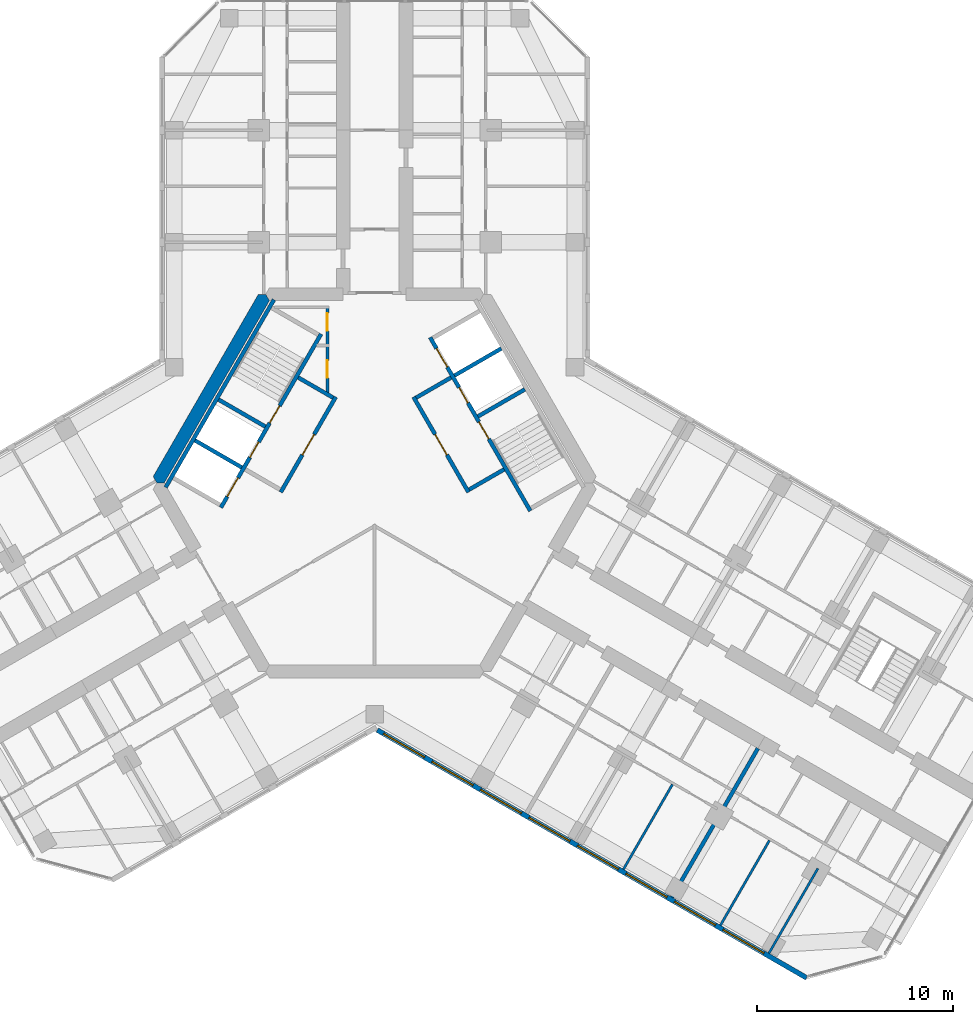
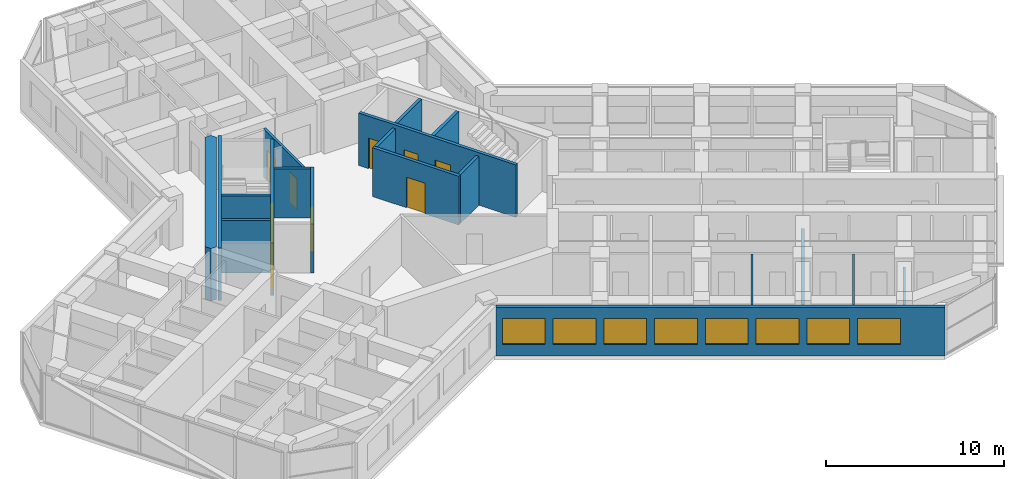
# One storey, part 10 of 16: 19 walls, 10 doors, 8 windows, 18 openings.
"""IFC4 building model written with IfcOpenShell, lengths in metres."""

from ifc_helpers import new_model, si_unit, direction, frame, frame_2d, origin, place, context, subcontext, project, spatial, polyline, rectangle, outline, extrude, material, layer, layer_set, type_object, element, fill, save


model = new_model("IFC4")

# Units and contexts
model_context = context("Model", 3, precision=1e-05, world=origin(), true_north=direction((0.0, 1.0)))
body_context = subcontext(model_context, "Body", "Model", "MODEL_VIEW")
ifc_project = project(units=[si_unit("LENGTHUNIT", "METRE"), si_unit("AREAUNIT", "SQUARE_METRE"), si_unit("VOLUMEUNIT", "CUBIC_METRE"), si_unit("PLANEANGLEUNIT", "RADIAN"), si_unit("MASSUNIT", "GRAM", prefix="KILO")], contexts=[model_context])

# Site, building, storey
site_placement = place(None, origin())
site = spatial("IfcSite", under=ifc_project, at=site_placement, CompositionType="ELEMENT")
building_placement = place(site_placement, origin())
building = spatial("IfcBuilding", under=site, at=building_placement, Name="Kosmar Iwan School Tower", CompositionType="ELEMENT")
storey_placement = place(building_placement, frame((0.0, 0.0, 219.0)))
storey = spatial("IfcBuildingStorey", under=building, at=storey_placement, Name="L55", CompositionType="ELEMENT", Elevation=219.0)

# Wall, openings, doors
ifc_material_1 = material(Name="Gypsum board on steel studs, fire-rated", Category="steel")
ifc_layer_1 = layer(ifc_material_1, 0.14990234375)
ifc_layer_set_1 = layer_set([ifc_layer_1], Name="Core room partition 150")
wall_type_1 = type_object("IfcWallType", Name="Core room partition 150", PredefinedType="PARTITIONING", material=ifc_layer_set_1)
wall_1_placement = place(storey_placement, frame((-2.39990234375, 9.014892578125, 0.0), z_axis=(0.0, 0.0, 1.0), x_axis=(0.0, -1.0, 0.0)))
wall_1 = element("IfcWall", 1, at=wall_1_placement, inside=storey, type_object=wall_type_1, Name="Core room partition L55-CW1", PredefinedType="PARTITIONING", context=body_context, shape_type="SweptSolid", body=[
    extrude(rectangle(XDim=4.484130859375, YDim=0.14990234375, at=frame_2d((2.2421875, 0.0))), origin(), (0.0, 0.0, 1.0), 3.35009765625),
])
opening_1_placement = place(wall_1_placement, frame((0.375, 0.0, 0.0)))
opening_1 = element("IfcOpeningElement", 2, at=opening_1_placement, cuts=wall_1, Name="Opening D14", PredefinedType="OPENING", context=body_context, shape_type="SweptSolid", body=[
    extrude(rectangle(XDim=0.89990234375, YDim=2.10009765625, at=frame_2d((0.449951171875, 1.050048828125))), frame((0.0, 0.0869140625, 0.0), z_axis=(0.0, -1.0, 0.0), x_axis=(1.0, 0.0, 0.0)), (0.0, 0.0, 1.0), 0.173828125),
])
opening_2_placement = place(wall_1_placement, frame((2.77490234375, 0.0, 0.0)))
opening_2 = element("IfcOpeningElement", 3, at=opening_2_placement, cuts=wall_1, Name="Opening D14", PredefinedType="OPENING", context=body_context, shape_type="SweptSolid", body=[
    extrude(rectangle(XDim=0.89990234375, YDim=2.10009765625, at=frame_2d((0.449951171875, 1.050048828125))), frame((0.0, 0.0869140625, 0.0), z_axis=(0.0, -1.0, 0.0), x_axis=(1.0, 0.0, 0.0)), (0.0, 0.0, 1.0), 0.173828125),
])
ifc_material_2 = material(Name="Timber fire door in steel frame", Category="steel")
door_type_1 = type_object("IfcDoorType", Name="Core room door 900x2100", OperationType="SINGLE_SWING_LEFT", PredefinedType="DOOR", material=ifc_material_2)
door_1_placement = place(opening_1_placement, origin())
door_1 = element("IfcDoor", 4, at=door_1_placement, inside=storey, type_object=door_type_1, Name="Electrical riser and switch room door L55 1", OperationType="SINGLE_SWING_LEFT", OverallHeight=2.10009765625, OverallWidth=0.89990234375, PredefinedType="DOOR", context=body_context, shape_type="SweptSolid", body=[
    extrude(rectangle(XDim=0.89990234375, YDim=2.10009765625, at=frame_2d((0.449951171875, 1.050048828125))), frame((0.0, 0.02490234375, 0.0), z_axis=(0.0, -1.0, 0.0), x_axis=(1.0, 0.0, 0.0)), (0.0, 0.0, 1.0), 0.050048828125),
])
fill(opening_1, door_1)
door_2_placement = place(opening_2_placement, origin())
door_2 = element("IfcDoor", 5, at=door_2_placement, inside=storey, type_object=door_type_1, Name="Plumbing and wet riser door L55 2", OperationType="SINGLE_SWING_RIGHT", OverallHeight=2.10009765625, OverallWidth=0.89990234375, PredefinedType="DOOR", context=body_context, shape_type="SweptSolid", body=[
    extrude(rectangle(XDim=0.89990234375, YDim=2.10009765625, at=frame_2d((0.449951171875, 1.050048828125))), frame((0.0, 0.02490234375, 0.0), z_axis=(0.0, -1.0, 0.0), x_axis=(1.0, 0.0, 0.0)), (0.0, 0.0, 1.0), 0.050048828125),
])
fill(opening_2, door_2)

# Walls
ifc_material_3 = material(Name="Concrete C50/60", Category="concrete")
ifc_layer_2 = layer(ifc_material_3, 0.64990234375)
ifc_layer_set_2 = layer_set([ifc_layer_2], Name="Core wall 650")
wall_type_2 = type_object("IfcWallType", Name="Core wall 650", PredefinedType="SHEAR", material=ifc_layer_set_2)
wall_2_placement = place(storey_placement, origin())
element("IfcWall", 6, at=wall_2_placement, inside=storey, type_object=wall_type_2, Name="Core wall F150", PredefinedType="SHEAR", context=body_context, shape_type="SweptSolid", body=[
    extrude(outline(polyline([(-11.085205078125, 0.0), (-10.7099609375, 0.0), (-5.35498046875, 9.27490234375), (-5.54248046875, 9.60009765625), (-5.917724609375, 9.60009765625), (-11.272705078125, 0.324951171875), (-11.085205078125, 0.0)])), origin(), (0.0, 0.0, 1.0), 3.60009765625),
])
ifc_material_4 = material(Name="Gypsum board on steel studs", Category="steel")
ifc_layer_3 = layer(ifc_material_4, 0.1201171875)
ifc_layer_set_3 = layer_set([ifc_layer_3], Name="Dwelling partition 120")
wall_type_3 = type_object("IfcWallType", Name="Dwelling partition 120", PredefinedType="PARTITIONING", material=ifc_layer_set_3)
for number, where, z_axis, x_axis, name in (
    (7, (15.158447265625, -15.344970703125, 0.0), (0.0, 0.0, 1.0), (-0.500011847778, -0.866018563358, 0.0), "Partition L55-CR2-X2"),
    (8, (20.0947265625, -18.195068359375, 0.0), (0.0, 0.0, 1.0), (-0.500011847778, -0.866018563358, 0.0), "Partition L55-CR3-X1"),
):
    element("IfcWall", number, at=place(storey_placement, frame(where, z_axis=z_axis, x_axis=x_axis)), inside=storey, type_object=wall_type_3, Name=name, PredefinedType="PARTITIONING", context=body_context, shape_type="SweptSolid", body=[
        extrude(rectangle(XDim=4.990234375, YDim=0.1201171875, at=frame_2d((2.4951171875, 0.0))), origin(), (0.0, 0.0, 1.0), 3.35009765625),
    ])
wall_3_placement = place(storey_placement, frame((22.562744140625, -19.6201171875, 0.0), z_axis=(0.0, 0.0, 1.0), x_axis=(-0.499996339024, -0.86602751744, 0.0)))
element("IfcWall", 9, at=wall_3_placement, inside=storey, type_object=wall_type_3, Name="Partition L55-CR3-X2", PredefinedType="PARTITIONING", context=body_context, shape_type="SweptSolid", body=[
    extrude(rectangle(XDim=4.98974609375, YDim=0.1201171875, at=frame_2d((2.494873046875, 0.0))), origin(), (0.0, 0.0, 1.0), 2.449951171875),
])

# Wall, openings, windows
ifc_material_5 = material(Name="Black aluminium rainscreen on insulated framing", Category="aluminium")
ifc_layer_4 = layer(ifc_material_5, 0.25)
ifc_layer_set_4 = layer_set([ifc_layer_4], Name="External wall rainscreen 250")
wall_type_4 = type_object("IfcWallType", Name="External wall rainscreen 250", PredefinedType="SOLIDWALL", material=ifc_layer_set_4)
wall_4_placement = place(storey_placement, frame((0.137939453125, -12.5791015625, 0.0), z_axis=(0.0, 0.0, 1.0), x_axis=(0.866023775649, -0.500002820003, 0.0)))
wall_4 = element("IfcWall", 10, at=wall_4_placement, inside=storey, type_object=wall_type_4, Name="External wall CR L55", PredefinedType="SOLIDWALL", context=body_context, shape_type="SweptSolid", body=[
    extrude(rectangle(XDim=25.226318359375, YDim=0.25, at=frame_2d((12.61328125, 0.0))), origin(), (0.0, 0.0, 1.0), 3.35009765625),
])
opening_3_placement = place(wall_4_placement, frame((0.365966796875, 0.0, 0.800048828125)))
opening_3 = element("IfcOpeningElement", 11, at=opening_3_placement, cuts=wall_4, Name="Opening W5", PredefinedType="OPENING", context=body_context, shape_type="SweptSolid", body=[
    extrude(rectangle(XDim=2.39990234375, YDim=1.800048828125, at=frame_2d((1.199951171875, 0.89990234375))), frame((0.0, 0.136962890625, 0.0), z_axis=(0.0, -1.0, 0.0), x_axis=(1.0, 0.0, 0.0)), (0.0, 0.0, 1.0), 0.27392578125),
])
opening_4_placement = place(wall_4_placement, frame((3.216064453125, 0.0, 0.800048828125)))
opening_4 = element("IfcOpeningElement", 12, at=opening_4_placement, cuts=wall_4, Name="Opening W5", PredefinedType="OPENING", context=body_context, shape_type="SweptSolid", body=[
    extrude(rectangle(XDim=2.39990234375, YDim=1.800048828125, at=frame_2d((1.199951171875, 0.89990234375))), frame((0.0, 0.136962890625, 0.0), z_axis=(0.0, -1.0, 0.0), x_axis=(1.0, 0.0, 0.0)), (0.0, 0.0, 1.0), 0.27392578125),
])
opening_5_placement = place(wall_4_placement, frame((6.06591796875, 0.0, 0.800048828125)))
opening_5 = element("IfcOpeningElement", 13, at=opening_5_placement, cuts=wall_4, Name="Opening W5", PredefinedType="OPENING", context=body_context, shape_type="SweptSolid", body=[
    extrude(rectangle(XDim=2.39990234375, YDim=1.800048828125, at=frame_2d((1.199951171875, 0.89990234375))), frame((0.0, 0.136962890625, 0.0), z_axis=(0.0, -1.0, 0.0), x_axis=(1.0, 0.0, 0.0)), (0.0, 0.0, 1.0), 0.27392578125),
])
opening_6_placement = place(wall_4_placement, frame((8.916015625, 0.0, 0.800048828125)))
opening_6 = element("IfcOpeningElement", 14, at=opening_6_placement, cuts=wall_4, Name="Opening W5", PredefinedType="OPENING", context=body_context, shape_type="SweptSolid", body=[
    extrude(rectangle(XDim=2.39990234375, YDim=1.800048828125, at=frame_2d((1.199951171875, 0.89990234375))), frame((0.0, 0.136962890625, 0.0), z_axis=(0.0, -1.0, 0.0), x_axis=(1.0, 0.0, 0.0)), (0.0, 0.0, 1.0), 0.27392578125),
])
opening_7_placement = place(wall_4_placement, frame((11.76611328125, 0.0, 0.800048828125)))
opening_7 = element("IfcOpeningElement", 15, at=opening_7_placement, cuts=wall_4, Name="Opening W5", PredefinedType="OPENING", context=body_context, shape_type="SweptSolid", body=[
    extrude(rectangle(XDim=2.39990234375, YDim=1.800048828125, at=frame_2d((1.199951171875, 0.89990234375))), frame((0.0, 0.136962890625, 0.0), z_axis=(0.0, -1.0, 0.0), x_axis=(1.0, 0.0, 0.0)), (0.0, 0.0, 1.0), 0.27392578125),
])
opening_8_placement = place(wall_4_placement, frame((14.615966796875, 0.0, 0.800048828125)))
opening_8 = element("IfcOpeningElement", 16, at=opening_8_placement, cuts=wall_4, Name="Opening W5", PredefinedType="OPENING", context=body_context, shape_type="SweptSolid", body=[
    extrude(rectangle(XDim=2.39990234375, YDim=1.800048828125, at=frame_2d((1.199951171875, 0.89990234375))), frame((0.0, 0.136962890625, 0.0), z_axis=(0.0, -1.0, 0.0), x_axis=(1.0, 0.0, 0.0)), (0.0, 0.0, 1.0), 0.27392578125),
])
opening_9_placement = place(wall_4_placement, frame((17.466064453125, 0.0, 0.800048828125)))
opening_9 = element("IfcOpeningElement", 17, at=opening_9_placement, cuts=wall_4, Name="Opening W5", PredefinedType="OPENING", context=body_context, shape_type="SweptSolid", body=[
    extrude(rectangle(XDim=2.39990234375, YDim=1.800048828125, at=frame_2d((1.199951171875, 0.89990234375))), frame((0.0, 0.136962890625, 0.0), z_axis=(0.0, -1.0, 0.0), x_axis=(1.0, 0.0, 0.0)), (0.0, 0.0, 1.0), 0.27392578125),
])
opening_10_placement = place(wall_4_placement, frame((20.31591796875, 0.0, 0.800048828125)))
opening_10 = element("IfcOpeningElement", 18, at=opening_10_placement, cuts=wall_4, Name="Opening W5", PredefinedType="OPENING", context=body_context, shape_type="SweptSolid", body=[
    extrude(rectangle(XDim=2.39990234375, YDim=1.800048828125, at=frame_2d((1.199951171875, 0.89990234375))), frame((0.0, 0.136962890625, 0.0), z_axis=(0.0, -1.0, 0.0), x_axis=(1.0, 0.0, 0.0)), (0.0, 0.0, 1.0), 0.27392578125),
])
ifc_material_6 = material(Name="Black aluminium frame with dark triple glazing", Category="aluminium")
window_type = type_object("IfcWindowType", Name="Window 2400x1800", PartitioningType="SINGLE_PANEL", PredefinedType="WINDOW", material=ifc_material_6)
window_1_placement = place(opening_3_placement, origin())
window_1 = element("IfcWindow", 19, at=window_1_placement, inside=storey, type_object=window_type, Name="Window CR L55 -1", OverallHeight=1.800048828125, OverallWidth=2.39990234375, PartitioningType="SINGLE_PANEL", PredefinedType="WINDOW", context=body_context, shape_type="SweptSolid", body=[
    extrude(rectangle(XDim=2.39990234375, YDim=1.800048828125, at=frame_2d((1.199951171875, 0.89990234375))), frame((0.0, 0.030029296875, 0.0), z_axis=(0.0, -1.0, 0.0), x_axis=(1.0, 0.0, 0.0)), (0.0, 0.0, 1.0), 0.06005859375),
])
fill(opening_3, window_1)
window_2_placement = place(opening_4_placement, origin())
window_2 = element("IfcWindow", 20, at=window_2_placement, inside=storey, type_object=window_type, Name="Window CR L55 0", OverallHeight=1.800048828125, OverallWidth=2.39990234375, PartitioningType="SINGLE_PANEL", PredefinedType="WINDOW", context=body_context, shape_type="SweptSolid", body=[
    extrude(rectangle(XDim=2.39990234375, YDim=1.800048828125, at=frame_2d((1.199951171875, 0.89990234375))), frame((0.0, 0.030029296875, 0.0), z_axis=(0.0, -1.0, 0.0), x_axis=(1.0, 0.0, 0.0)), (0.0, 0.0, 1.0), 0.06005859375),
])
fill(opening_4, window_2)
window_3_placement = place(opening_5_placement, origin())
window_3 = element("IfcWindow", 21, at=window_3_placement, inside=storey, type_object=window_type, Name="Window CR L55 1", OverallHeight=1.800048828125, OverallWidth=2.39990234375, PartitioningType="SINGLE_PANEL", PredefinedType="WINDOW", context=body_context, shape_type="SweptSolid", body=[
    extrude(rectangle(XDim=2.39990234375, YDim=1.800048828125, at=frame_2d((1.199951171875, 0.89990234375))), frame((0.0, 0.030029296875, 0.0), z_axis=(0.0, -1.0, 0.0), x_axis=(1.0, 0.0, 0.0)), (0.0, 0.0, 1.0), 0.06005859375),
])
fill(opening_5, window_3)
window_4_placement = place(opening_6_placement, origin())
window_4 = element("IfcWindow", 22, at=window_4_placement, inside=storey, type_object=window_type, Name="Window CR L55 2", OverallHeight=1.800048828125, OverallWidth=2.39990234375, PartitioningType="SINGLE_PANEL", PredefinedType="WINDOW", context=body_context, shape_type="SweptSolid", body=[
    extrude(rectangle(XDim=2.39990234375, YDim=1.800048828125, at=frame_2d((1.199951171875, 0.89990234375))), frame((0.0, 0.030029296875, 0.0), z_axis=(0.0, -1.0, 0.0), x_axis=(1.0, 0.0, 0.0)), (0.0, 0.0, 1.0), 0.06005859375),
])
fill(opening_6, window_4)
window_5_placement = place(opening_7_placement, origin())
window_5 = element("IfcWindow", 23, at=window_5_placement, inside=storey, type_object=window_type, Name="Window CR L55 3", OverallHeight=1.800048828125, OverallWidth=2.39990234375, PartitioningType="SINGLE_PANEL", PredefinedType="WINDOW", context=body_context, shape_type="SweptSolid", body=[
    extrude(rectangle(XDim=2.39990234375, YDim=1.800048828125, at=frame_2d((1.199951171875, 0.89990234375))), frame((0.0, 0.030029296875, 0.0), z_axis=(0.0, -1.0, 0.0), x_axis=(1.0, 0.0, 0.0)), (0.0, 0.0, 1.0), 0.06005859375),
])
fill(opening_7, window_5)
window_6_placement = place(opening_8_placement, origin())
window_6 = element("IfcWindow", 24, at=window_6_placement, inside=storey, type_object=window_type, Name="Window CR L55 4", OverallHeight=1.800048828125, OverallWidth=2.39990234375, PartitioningType="SINGLE_PANEL", PredefinedType="WINDOW", context=body_context, shape_type="SweptSolid", body=[
    extrude(rectangle(XDim=2.39990234375, YDim=1.800048828125, at=frame_2d((1.199951171875, 0.89990234375))), frame((0.0, 0.030029296875, 0.0), z_axis=(0.0, -1.0, 0.0), x_axis=(1.0, 0.0, 0.0)), (0.0, 0.0, 1.0), 0.06005859375),
])
fill(opening_8, window_6)
window_7_placement = place(opening_9_placement, origin())
window_7 = element("IfcWindow", 25, at=window_7_placement, inside=storey, type_object=window_type, Name="Window CR L55 5", OverallHeight=1.800048828125, OverallWidth=2.39990234375, PartitioningType="SINGLE_PANEL", PredefinedType="WINDOW", context=body_context, shape_type="SweptSolid", body=[
    extrude(rectangle(XDim=2.39990234375, YDim=1.800048828125, at=frame_2d((1.199951171875, 0.89990234375))), frame((0.0, 0.030029296875, 0.0), z_axis=(0.0, -1.0, 0.0), x_axis=(1.0, 0.0, 0.0)), (0.0, 0.0, 1.0), 0.06005859375),
])
fill(opening_9, window_7)
window_8_placement = place(opening_10_placement, origin())
window_8 = element("IfcWindow", 26, at=window_8_placement, inside=storey, type_object=window_type, Name="Window CR L55 6", OverallHeight=1.800048828125, OverallWidth=2.39990234375, PartitioningType="SINGLE_PANEL", PredefinedType="WINDOW", context=body_context, shape_type="SweptSolid", body=[
    extrude(rectangle(XDim=2.39990234375, YDim=1.800048828125, at=frame_2d((1.199951171875, 0.89990234375))), frame((0.0, 0.030029296875, 0.0), z_axis=(0.0, -1.0, 0.0), x_axis=(1.0, 0.0, 0.0)), (0.0, 0.0, 1.0), 0.06005859375),
])
fill(opening_10, window_8)

# Wall, opening, door
ifc_material_7 = material(Name="Concrete block masonry", Category="masonry")
ifc_layer_5 = layer(ifc_material_7, 0.199951171875)
ifc_layer_set_5 = layer_set([ifc_layer_5], Name="Fire lobby wall 200")
wall_type_5 = type_object("IfcWallType", Name="Fire lobby wall 200", PredefinedType="PARTITIONING", material=ifc_layer_set_5)
wall_5_placement = place(storey_placement, frame((-1.9775390625, 4.374755859375, 0.0), z_axis=(0.0, 0.0, 1.0), x_axis=(-0.500016814911, -0.866015695474, 0.0)))
wall_5 = element("IfcWall", 27, at=wall_5_placement, inside=storey, type_object=wall_type_5, Name="Firefighting lobby wall ST2", PredefinedType="PARTITIONING", context=body_context, shape_type="SweptSolid", body=[
    extrude(rectangle(XDim=5.599853515625, YDim=0.199951171875, at=frame_2d((2.7998046875, 0.0))), origin(), (0.0, 0.0, 1.0), 3.35009765625),
])
opening_11_placement = place(wall_5_placement, frame((2.199951171875, 0.0, 0.0)))
opening_11 = element("IfcOpeningElement", 28, at=opening_11_placement, cuts=wall_5, Name="Opening D7", PredefinedType="OPENING", context=body_context, shape_type="SweptSolid", body=[
    extrude(rectangle(XDim=1.199951171875, YDim=2.10009765625, at=frame_2d((0.60009765625, 1.050048828125))), frame((0.0, 0.112060546875, 0.0), z_axis=(0.0, -1.0, 0.0), x_axis=(1.0, 0.0, 0.0)), (0.0, 0.0, 1.0), 0.223876953125),
])
ifc_material_8 = material(Name="Steel fire door", Category="steel")
door_type_2 = type_object("IfcDoorType", Name="Fire lobby door 1200x2100", OperationType="SINGLE_SWING_LEFT", PredefinedType="DOOR", material=ifc_material_8)
door_3_placement = place(opening_11_placement, origin())
door_3 = element("IfcDoor", 29, at=door_3_placement, inside=storey, type_object=door_type_2, Name="Firefighting lobby door ST2 L55", OperationType="SINGLE_SWING_RIGHT", OverallHeight=2.10009765625, OverallWidth=1.199951171875, PredefinedType="DOOR", context=body_context, shape_type="SweptSolid", body=[
    extrude(rectangle(XDim=1.199951171875, YDim=2.10009765625, at=frame_2d((0.60009765625, 1.050048828125))), frame((0.0, 0.02490234375, 0.0), z_axis=(0.0, -1.0, 0.0), x_axis=(1.0, 0.0, 0.0)), (0.0, 0.0, 1.0), 0.050048828125),
])
fill(opening_11, door_3)

# Wall
wall_6_placement = place(storey_placement, frame((-2.114013671875, 4.33837890625, 0.0), z_axis=(0.0, 0.0, 1.0), x_axis=(-0.866050731258, 0.499956128963, 0.0)))
element("IfcWall", 30, at=wall_6_placement, inside=storey, type_object=wall_type_5, Name="Firefighting lobby wall ST2", PredefinedType="PARTITIONING", context=body_context, shape_type="SweptSolid", body=[
    extrude(rectangle(XDim=2.050048828125, YDim=0.199951171875, at=frame_2d((1.02490234375, 0.0))), origin(), (0.0, 0.0, 1.0), 3.35009765625),
])

# Wall, opening, door
wall_7_placement = place(storey_placement, frame((4.777587890625, -0.474853515625, 0.0), z_axis=(0.0, 0.0, 1.0), x_axis=(-0.500016814911, 0.866015695474, 0.0)))
wall_7 = element("IfcWall", 31, at=wall_7_placement, inside=storey, type_object=wall_type_5, Name="Firefighting lobby wall ST1", PredefinedType="PARTITIONING", context=body_context, shape_type="SweptSolid", body=[
    extrude(rectangle(XDim=5.599853515625, YDim=0.199951171875, at=frame_2d((2.7998046875, 0.0))), origin(), (0.0, 0.0, 1.0), 3.35009765625),
])
opening_12_placement = place(wall_7_placement, frame((2.199951171875, 0.0, 0.0)))
opening_12 = element("IfcOpeningElement", 32, at=opening_12_placement, cuts=wall_7, Name="Opening D7", PredefinedType="OPENING", context=body_context, shape_type="SweptSolid", body=[
    extrude(rectangle(XDim=1.199951171875, YDim=2.10009765625, at=frame_2d((0.60009765625, 1.050048828125))), frame((0.0, 0.112060546875, 0.0), z_axis=(0.0, -1.0, 0.0), x_axis=(1.0, 0.0, 0.0)), (0.0, 0.0, 1.0), 0.223876953125),
])
door_4_placement = place(opening_12_placement, origin())
door_4 = element("IfcDoor", 33, at=door_4_placement, inside=storey, type_object=door_type_2, Name="Firefighting lobby door ST1 L55", OperationType="SINGLE_SWING_RIGHT", OverallHeight=2.10009765625, OverallWidth=1.199951171875, PredefinedType="DOOR", context=body_context, shape_type="SweptSolid", body=[
    extrude(rectangle(XDim=1.199951171875, YDim=2.10009765625, at=frame_2d((0.60009765625, 1.050048828125))), frame((0.0, 0.02490234375, 0.0), z_axis=(0.0, -1.0, 0.0), x_axis=(1.0, 0.0, 0.0)), (0.0, 0.0, 1.0), 0.050048828125),
])
fill(opening_12, door_4)

# Walls
wall_8_placement = place(storey_placement, frame((4.814208984375, -0.33837890625, 0.0), z_axis=(0.0, 0.0, 1.0), x_axis=(0.865969381856, 0.500097020274, 0.0)))
element("IfcWall", 34, at=wall_8_placement, inside=storey, type_object=wall_type_5, Name="Firefighting lobby wall ST1", PredefinedType="PARTITIONING", context=body_context, shape_type="SweptSolid", body=[
    extrude(rectangle(XDim=2.0498046875, YDim=0.199951171875, at=frame_2d((1.02490234375, 0.0))), origin(), (0.0, 0.0, 1.0), 3.35009765625),
])
wall_9_placement = place(storey_placement, frame((2.114013671875, 4.33837890625, 0.0), z_axis=(0.0, 0.0, 1.0), x_axis=(0.866050731258, 0.499956128963, 0.0)))
element("IfcWall", 35, at=wall_9_placement, inside=storey, type_object=wall_type_5, Name="Firefighting lobby wall ST1", PredefinedType="PARTITIONING", context=body_context, shape_type="SweptSolid", body=[
    extrude(rectangle(XDim=2.050048828125, YDim=0.199951171875, at=frame_2d((1.02490234375, 0.0))), origin(), (0.0, 0.0, 1.0), 3.35009765625),
])

# Wall, openings, doors
ifc_material_9 = material(Name="Concrete C50/60", Category="concrete")
ifc_layer_6 = layer(ifc_material_9, 0.199951171875)
ifc_layer_set_6 = layer_set([ifc_layer_6], Name="Lift shaft wall 200")
wall_type_6 = type_object("IfcWallType", Name="Lift shaft wall 200", PredefinedType="SHEAR", material=ifc_layer_set_6)
wall_10_placement = place(storey_placement, frame((-2.72607421875, 7.578369140625, 0.0), z_axis=(0.0, 0.0, 1.0), x_axis=(-0.500005610874, -0.86602216432, 0.0)))
wall_10 = element("IfcWall", 36, at=wall_10_placement, inside=storey, type_object=wall_type_6, Name="Lift and stair front wall AB", PredefinedType="SHEAR", context=body_context, shape_type="SweptSolid", body=[
    extrude(rectangle(XDim=10.2001953125, YDim=0.199951171875, at=frame_2d((5.10009765625, 0.0))), origin(), (0.0, 0.0, 1.0), 3.60009765625),
])
opening_13_placement = place(wall_10_placement, frame((6.35009765625, 0.0, 0.0)))
opening_13 = element("IfcOpeningElement", 37, at=opening_13_placement, cuts=wall_10, Name="Opening LD2", PredefinedType="OPENING", context=body_context, shape_type="SweptSolid", body=[
    extrude(rectangle(XDim=0.89990234375, YDim=2.10009765625, at=frame_2d((0.449951171875, 1.050048828125))), frame((0.0, 0.112060546875, 0.0), z_axis=(0.0, -1.0, 0.0), x_axis=(1.0, 0.0, 0.0)), (0.0, 0.0, 1.0), 0.223876953125),
])
opening_14_placement = place(wall_10_placement, frame((8.449951171875, 0.0, 0.0)))
opening_14 = element("IfcOpeningElement", 38, at=opening_14_placement, cuts=wall_10, Name="Opening LD1", PredefinedType="OPENING", context=body_context, shape_type="SweptSolid", body=[
    extrude(rectangle(XDim=1.10009765625, YDim=2.10009765625, at=frame_2d((0.550048828125, 1.050048828125))), frame((0.0, 0.112060546875, 0.0), z_axis=(0.0, -1.0, 0.0), x_axis=(1.0, 0.0, 0.0)), (0.0, 0.0, 1.0), 0.223876953125),
])
opening_15_placement = place(wall_10_placement, frame((4.22998046875, 0.0, 0.0)))
opening_15 = element("IfcOpeningElement", 39, at=opening_15_placement, cuts=wall_10, Name="Opening D6", PredefinedType="OPENING", context=body_context, shape_type="SweptSolid", body=[
    extrude(rectangle(XDim=1.0, YDim=2.10009765625, at=frame_2d((0.5, 1.050048828125))), frame((0.0, 0.112060546875, 0.0), z_axis=(0.0, -1.0, 0.0), x_axis=(1.0, 0.0, 0.0)), (0.0, 0.0, 1.0), 0.223876953125),
])
ifc_material_10 = material(Name="Stainless steel sliding lift door", Category="steel")
door_type_3 = type_object("IfcDoorType", Name="Firefighting lift landing door 900x2100", OperationType="SLIDING_TO_LEFT", PredefinedType="DOOR", material=ifc_material_10)
door_5_placement = place(opening_13_placement, origin())
door_5 = element("IfcDoor", 40, at=door_5_placement, inside=storey, type_object=door_type_3, Name="Lift FF2 landing door L55", OperationType="SLIDING_TO_LEFT", OverallHeight=2.10009765625, OverallWidth=0.89990234375, PredefinedType="DOOR", context=body_context, shape_type="SweptSolid", body=[
    extrude(rectangle(XDim=0.89990234375, YDim=2.10009765625, at=frame_2d((0.449951171875, 1.050048828125))), frame((0.0, 0.02490234375, 0.0), z_axis=(0.0, -1.0, 0.0), x_axis=(1.0, 0.0, 0.0)), (0.0, 0.0, 1.0), 0.050048828125),
])
fill(opening_13, door_5)
ifc_material_11 = material(Name="Stainless steel sliding lift door", Category="steel")
door_type_4 = type_object("IfcDoorType", Name="Lift landing door 1100x2100", OperationType="SLIDING_TO_LEFT", PredefinedType="DOOR", material=ifc_material_11)
door_6_placement = place(opening_14_placement, origin())
door_6 = element("IfcDoor", 41, at=door_6_placement, inside=storey, type_object=door_type_4, Name="Lift PL6 landing door L55", OperationType="SLIDING_TO_LEFT", OverallHeight=2.10009765625, OverallWidth=1.10009765625, PredefinedType="DOOR", context=body_context, shape_type="SweptSolid", body=[
    extrude(rectangle(XDim=1.10009765625, YDim=2.10009765625, at=frame_2d((0.550048828125, 1.050048828125))), frame((0.0, 0.02490234375, 0.0), z_axis=(0.0, -1.0, 0.0), x_axis=(1.0, 0.0, 0.0)), (0.0, 0.0, 1.0), 0.050048828125),
])
fill(opening_14, door_6)
ifc_material_12 = material(Name="Steel fire door", Category="steel")
door_type_5 = type_object("IfcDoorType", Name="Stair door 1000x2100", OperationType="SINGLE_SWING_LEFT", PredefinedType="DOOR", material=ifc_material_12)
door_7_placement = place(opening_15_placement, origin())
door_7 = element("IfcDoor", 42, at=door_7_placement, inside=storey, type_object=door_type_5, Name="Stair ST2 door L55", OperationType="SINGLE_SWING_LEFT", OverallHeight=2.10009765625, OverallWidth=1.0, PredefinedType="DOOR", context=body_context, shape_type="SweptSolid", body=[
    extrude(rectangle(XDim=1.0, YDim=2.10009765625, at=frame_2d((0.5, 1.050048828125))), frame((0.0, 0.02490234375, 0.0), z_axis=(0.0, -1.0, 0.0), x_axis=(1.0, 0.0, 0.0)), (0.0, 0.0, 1.0), 0.050048828125),
])
fill(opening_15, door_7)

# Walls
wall_11_placement = place(storey_placement, frame((-5.1240234375, 9.324951171875, 0.0), z_axis=(0.0, 0.0, 1.0), x_axis=(-0.49999650507, -0.866027421574, 0.0)))
element("IfcWall", 43, at=wall_11_placement, inside=storey, type_object=wall_type_6, Name="Lift and stair back wall AB", PredefinedType="SHEAR", context=body_context, shape_type="SweptSolid", body=[
    extrude(rectangle(XDim=11.02734375, YDim=0.199951171875, at=frame_2d((5.513671875, 0.0))), origin(), (0.0, 0.0, 1.0), 3.60009765625),
])
wall_12_placement = place(storey_placement, frame((-6.7626953125, 0.78662109375, 0.0), z_axis=(0.0, 0.0, 1.0), x_axis=(-0.866027397988, 0.499996545922, 0.0)))
element("IfcWall", 44, at=wall_12_placement, inside=storey, type_object=wall_type_6, Name="Lift shaft wall AB 1", PredefinedType="SHEAR", context=body_context, shape_type="SweptSolid", body=[
    extrude(rectangle(XDim=2.75, YDim=0.199951171875, at=frame_2d((1.375, 0.0))), origin(), (0.0, 0.0, 1.0), 3.60009765625),
])

# Wall, openings, doors
wall_13_placement = place(storey_placement, frame((7.926025390625, -1.42822265625, 0.0), z_axis=(0.0, 0.0, 1.0), x_axis=(-0.499998023675, 0.866026544813, 0.0)))
wall_13 = element("IfcWall", 45, at=wall_13_placement, inside=storey, type_object=wall_type_6, Name="Lift and stair front wall AC", PredefinedType="SHEAR", context=body_context, shape_type="SweptSolid", body=[
    extrude(rectangle(XDim=10.19970703125, YDim=0.199951171875, at=frame_2d((5.099853515625, 0.0))), origin(), (0.0, 0.0, 1.0), 3.60009765625),
])
opening_16_placement = place(wall_13_placement, frame((6.35009765625, 0.0, 0.0)))
opening_16 = element("IfcOpeningElement", 46, at=opening_16_placement, cuts=wall_13, Name="Opening LD2", PredefinedType="OPENING", context=body_context, shape_type="SweptSolid", body=[
    extrude(rectangle(XDim=0.89990234375, YDim=2.10009765625, at=frame_2d((0.449951171875, 1.050048828125))), frame((0.0, 0.112060546875, 0.0), z_axis=(0.0, -1.0, 0.0), x_axis=(1.0, 0.0, 0.0)), (0.0, 0.0, 1.0), 0.223876953125),
])
opening_17_placement = place(wall_13_placement, frame((8.449951171875, 0.0, 0.0)))
opening_17 = element("IfcOpeningElement", 47, at=opening_17_placement, cuts=wall_13, Name="Opening LD1", PredefinedType="OPENING", context=body_context, shape_type="SweptSolid", body=[
    extrude(rectangle(XDim=1.10009765625, YDim=2.10009765625, at=frame_2d((0.550048828125, 1.050048828125))), frame((0.0, 0.112060546875, 0.0), z_axis=(0.0, -1.0, 0.0), x_axis=(1.0, 0.0, 0.0)), (0.0, 0.0, 1.0), 0.223876953125),
])
opening_18_placement = place(wall_13_placement, frame((4.22998046875, 0.0, 0.0)))
opening_18 = element("IfcOpeningElement", 48, at=opening_18_placement, cuts=wall_13, Name="Opening D6", PredefinedType="OPENING", context=body_context, shape_type="SweptSolid", body=[
    extrude(rectangle(XDim=1.0, YDim=2.10009765625, at=frame_2d((0.5, 1.050048828125))), frame((0.0, 0.112060546875, 0.0), z_axis=(0.0, -1.0, 0.0), x_axis=(1.0, 0.0, 0.0)), (0.0, 0.0, 1.0), 0.223876953125),
])
door_8_placement = place(opening_16_placement, origin())
door_8 = element("IfcDoor", 49, at=door_8_placement, inside=storey, type_object=door_type_3, Name="Lift FF1 landing door L55", OperationType="SLIDING_TO_LEFT", OverallHeight=2.10009765625, OverallWidth=0.89990234375, PredefinedType="DOOR", context=body_context, shape_type="SweptSolid", body=[
    extrude(rectangle(XDim=0.89990234375, YDim=2.10009765625, at=frame_2d((0.449951171875, 1.050048828125))), frame((0.0, 0.02490234375, 0.0), z_axis=(0.0, -1.0, 0.0), x_axis=(1.0, 0.0, 0.0)), (0.0, 0.0, 1.0), 0.050048828125),
])
fill(opening_16, door_8)
door_9_placement = place(opening_17_placement, origin())
door_9 = element("IfcDoor", 50, at=door_9_placement, inside=storey, type_object=door_type_4, Name="Lift PL5 landing door L55", OperationType="SLIDING_TO_LEFT", OverallHeight=2.10009765625, OverallWidth=1.10009765625, PredefinedType="DOOR", context=body_context, shape_type="SweptSolid", body=[
    extrude(rectangle(XDim=1.10009765625, YDim=2.10009765625, at=frame_2d((0.550048828125, 1.050048828125))), frame((0.0, 0.02490234375, 0.0), z_axis=(0.0, -1.0, 0.0), x_axis=(1.0, 0.0, 0.0)), (0.0, 0.0, 1.0), 0.050048828125),
])
fill(opening_17, door_9)
door_10_placement = place(opening_18_placement, origin())
door_10 = element("IfcDoor", 51, at=door_10_placement, inside=storey, type_object=door_type_5, Name="Stair ST1 door L55", OperationType="SINGLE_SWING_LEFT", OverallHeight=2.10009765625, OverallWidth=1.0, PredefinedType="DOOR", context=body_context, shape_type="SweptSolid", body=[
    extrude(rectangle(XDim=1.0, YDim=2.10009765625, at=frame_2d((0.5, 1.050048828125))), frame((0.0, 0.02490234375, 0.0), z_axis=(0.0, -1.0, 0.0), x_axis=(1.0, 0.0, 0.0)), (0.0, 0.0, 1.0), 0.050048828125),
])
fill(opening_18, door_10)

# Walls
wall_14_placement = place(storey_placement, frame((4.062744140625, 5.46337890625, 0.0), z_axis=(0.0, 0.0, 1.0), x_axis=(0.866027397988, 0.499996545922, 0.0)))
element("IfcWall", 52, at=wall_14_placement, inside=storey, type_object=wall_type_6, Name="Lift shaft wall AC 1", PredefinedType="SHEAR", context=body_context, shape_type="SweptSolid", body=[
    extrude(rectangle(XDim=2.75, YDim=0.199951171875, at=frame_2d((1.375, 0.0))), origin(), (0.0, 0.0, 1.0), 3.60009765625),
])
ifc_material_13 = material(Name="Concrete block masonry", Category="masonry")
ifc_layer_7 = layer(ifc_material_13, 0.199951171875)
ifc_layer_set_7 = layer_set([ifc_layer_7], Name="Party wall 200")
wall_type_7 = type_object("IfcWallType", Name="Party wall 200", PredefinedType="PARTITIONING", material=ifc_layer_set_7)
wall_15_placement = place(storey_placement, frame((19.506591796875, -13.513671875, 0.0), z_axis=(0.0, 0.0, 1.0), x_axis=(-0.499992152613, -0.866029934428, 0.0)))
element("IfcWall", 53, at=wall_15_placement, inside=storey, type_object=wall_type_7, Name="Partition L55-CR3-PW", PredefinedType="PARTITIONING", context=body_context, shape_type="SweptSolid", body=[
    extrude(rectangle(XDim=8.750244140625, YDim=0.199951171875, at=frame_2d((4.375, 0.0))), origin(), (0.0, 0.0, 1.0), 2.449951171875),
])
ifc_material_14 = material(Name="Concrete C50/60", Category="concrete")
ifc_layer_8 = layer(ifc_material_14, 0.199951171875)
ifc_layer_set_8 = layer_set([ifc_layer_8], Name="Stair enclosure wall 200")
wall_type_8 = type_object("IfcWallType", Name="Stair enclosure wall 200", PredefinedType="SHEAR", material=ifc_layer_set_8)
for number, where, z_axis, x_axis, name in (
    (54, (-5.562744140625, 2.865234375, 0.0), (0.0, 0.0, 1.0), (-0.866027397988, 0.499996545922, 0.0), "Stair ST2 wall"),
    (55, (5.2626953125, 3.384765625, 0.0), (0.0, 0.0, 1.0), (0.866027397988, 0.499996545922, 0.0), "Stair ST1 wall"),
):
    element("IfcWall", number, at=place(storey_placement, frame(where, z_axis=z_axis, x_axis=x_axis)), inside=storey, type_object=wall_type_8, Name=name, PredefinedType="SHEAR", context=body_context, shape_type="SweptSolid", body=[
        extrude(rectangle(XDim=2.75, YDim=0.199951171875, at=frame_2d((1.375, 0.0))), origin(), (0.0, 0.0, 1.0), 3.60009765625),
    ])

save(model, "model.ifc")
